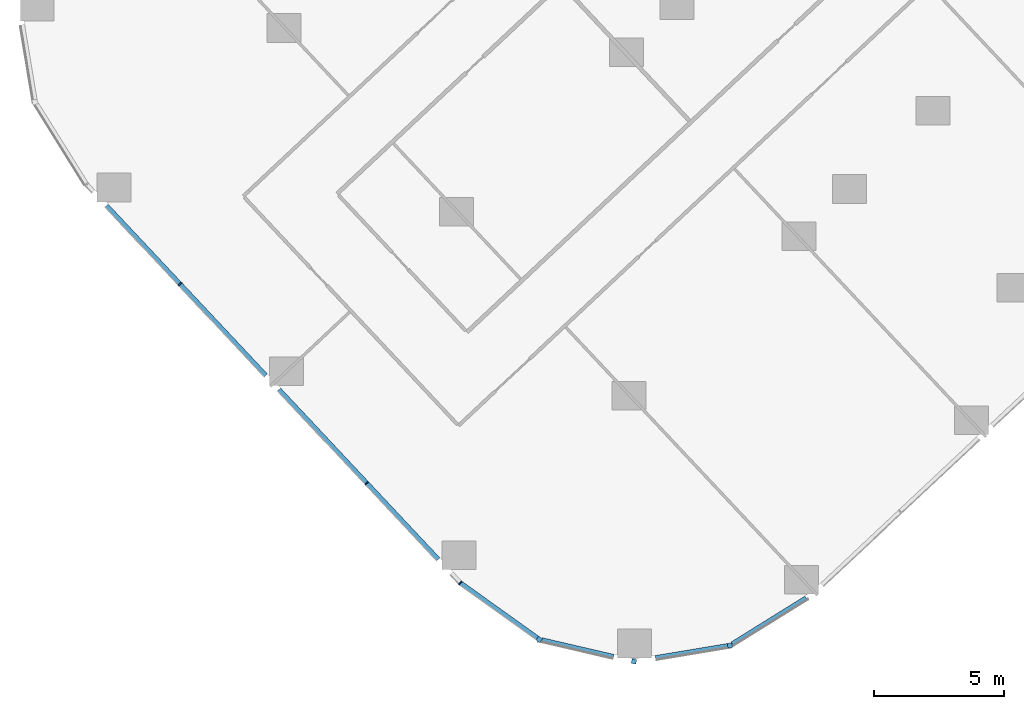
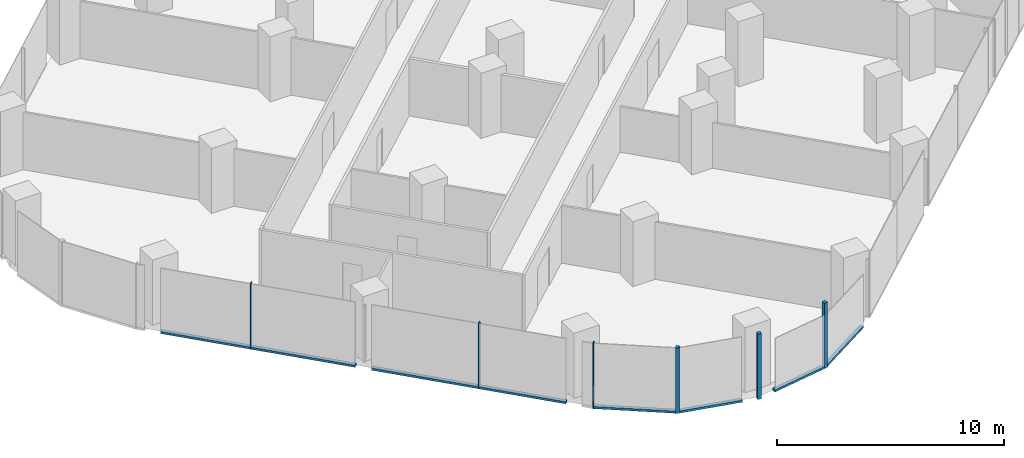
# One storey, part 2 of 33: 12 members, 5 elements without a shape of their own.
"""IFC4 building model written with IfcOpenShell, lengths in metres."""

from ifc_helpers import new_model, si_unit, direction, frame, origin, origin_2d, place, context, subcontext, project, spatial, rectangle, extrude, material, material_profile, profile_set, type_object, element, aggregate, save


model = new_model("IFC4")

# Units and contexts
model_context = context("Model", 3, precision=1e-05, world=origin(), true_north=direction((0.0, 1.0)))
body_context = subcontext(model_context, "Body", "Model", "MODEL_VIEW")
ifc_project = project(units=[si_unit("LENGTHUNIT", "METRE"), si_unit("AREAUNIT", "SQUARE_METRE"), si_unit("VOLUMEUNIT", "CUBIC_METRE"), si_unit("PLANEANGLEUNIT", "RADIAN"), si_unit("MASSUNIT", "GRAM", prefix="KILO")], contexts=[model_context])

# Site, building, storey
site_placement = place(None, origin())
site = spatial("IfcSite", under=ifc_project, at=site_placement, CompositionType="ELEMENT")
building_placement = place(site_placement, origin())
building = spatial("IfcBuilding", under=site, at=building_placement, Name="Orlundy Tower", CompositionType="ELEMENT")
storey_placement = place(building_placement, frame((0.0, 0.0, 51.300048828125)))
storey = spatial("IfcBuildingStorey", under=building, at=storey_placement, Name="L11", CompositionType="ELEMENT", Elevation=51.300048828125)

# Curtain wall, member
ifc_material_1 = material(Name="Aluminium bronze anodised", Category="aluminium")
curtain_wall_type = type_object("IfcCurtainWallType", Name="CW1 wall", PredefinedType="NOTDEFINED", material=ifc_material_1)
curtain_wall_1_placement = place(storey_placement, origin())
curtain_wall_1 = element("IfcCurtainWall", 1, at=curtain_wall_1_placement, inside=storey, type_object=curtain_wall_type, Name="CW1 run 020", PredefinedType="NOTDEFINED")
ifc_material_2 = material(Name="Aluminium bronze anodised", Category="aluminium")
ifc_material_profile_1 = material_profile(ifc_material_2, rectangle(XDim=0.179931640625, YDim=0.179931640625, at=origin_2d()), Name="CW1 corner post 180x180")
ifc_profile_set_1 = profile_set([ifc_material_profile_1], Name="Aluminium bronze anodised")
member_type_1 = type_object("IfcMemberType", Name="CW1 corner post 180x180", PredefinedType="MULLION", material=ifc_profile_set_1)
member_1_placement = place(storey_placement, frame((-26.629638671875, -51.52294921875, -0.420166015625), z_axis=(0.0, 0.0, 1.0), x_axis=(0.163786370223, -0.986495831177, 0.0)))
member_1 = element("IfcMember", 2, at=member_1_placement, type_object=member_type_1, Name="CW1 mullion 58", PredefinedType="MULLION", context=body_context, shape_type="SweptSolid", body=[
    extrude(rectangle(XDim=0.179931640625, YDim=0.179931640625, at=origin_2d()), origin(), (0.0, 0.0, 1.0), 3.52001953125),
])

curtain_wall_2_placement = place(storey_placement, origin())
curtain_wall_2 = element("IfcCurtainWall", 3, at=curtain_wall_2_placement, inside=storey, type_object=curtain_wall_type, Name="CW1 run 021", PredefinedType="NOTDEFINED")
member_2_placement = place(storey_placement, frame((-30.321044921875, -52.1357421875, -0.420166015625), z_axis=(0.0, 0.0, 1.0), x_axis=(-0.226317097073, -0.974053680026, 0.0)))
member_2 = element("IfcMember", 4, at=member_2_placement, type_object=member_type_1, Name="CW1 mullion 59", PredefinedType="MULLION", context=body_context, shape_type="SweptSolid", body=[
    extrude(rectangle(XDim=0.179931640625, YDim=0.179931640625, at=origin_2d()), origin(), (0.0, 0.0, 1.0), 3.52001953125),
])

curtain_wall_3_placement = place(storey_placement, origin())
curtain_wall_3 = element("IfcCurtainWall", 5, at=curtain_wall_3_placement, inside=storey, type_object=curtain_wall_type, Name="CW1 run 022", PredefinedType="NOTDEFINED")
member_3_placement = place(storey_placement, frame((-33.966796875, -51.28857421875, -0.420166015625), z_axis=(0.0, 0.0, 1.0), x_axis=(-0.58197810512, -0.813204454711, 0.0)))
member_3 = element("IfcMember", 6, at=member_3_placement, type_object=member_type_1, Name="CW1 mullion 60", PredefinedType="MULLION", context=body_context, shape_type="SweptSolid", body=[
    extrude(rectangle(XDim=0.179931640625, YDim=0.179931640625, at=origin_2d()), origin(), (0.0, 0.0, 1.0), 3.52001953125),
])

# Curtain wall, members
curtain_wall_4_placement = place(storey_placement, origin())
curtain_wall_4 = element("IfcCurtainWall", 7, at=curtain_wall_4_placement, inside=storey, type_object=curtain_wall_type, Name="CW1 run 023", PredefinedType="NOTDEFINED")
ifc_material_3 = material(Name="Aluminium bronze anodised", Category="aluminium")
ifc_material_profile_2 = material_profile(ifc_material_3, rectangle(XDim=0.179931640625, YDim=0.050048828125, at=origin_2d()), Name="CW1 mullion 50x180")
ifc_profile_set_2 = profile_set([ifc_material_profile_2], Name="Aluminium bronze anodised")
member_type_2 = type_object("IfcMemberType", Name="CW1 mullion 50x180", PredefinedType="MULLION", material=ifc_profile_set_2)
member_4_placement = place(storey_placement, frame((-37.002685546875, -49.115966796875, -0.420166015625), z_axis=(0.0, 0.0, 1.0), x_axis=(-0.658839468913, -0.752283559705, 0.0)))
member_4 = element("IfcMember", 8, at=member_4_placement, type_object=member_type_2, Name="CW1 mullion 61", PredefinedType="MULLION", context=body_context, shape_type="SweptSolid", body=[
    extrude(rectangle(XDim=0.179931640625, YDim=0.050048828125, at=origin_2d()), origin(), (0.0, 0.0, 1.0), 3.52001953125),
])
member_5_placement = place(storey_placement, frame((-40.600341796875, -45.2802734375, -0.420166015625), z_axis=(0.0, 0.0, 1.0), x_axis=(-0.729363439598, -0.684126430551, 0.0)))
member_5 = element("IfcMember", 9, at=member_5_placement, type_object=member_type_2, Name="CW1 mullion 62", PredefinedType="MULLION", context=body_context, shape_type="SweptSolid", body=[
    extrude(rectangle(XDim=0.179931640625, YDim=0.050048828125, at=origin_2d()), origin(), (0.0, 0.0, 1.0), 3.52001953125),
])
member_6_placement = place(storey_placement, frame((-47.783935546875, -37.621826171875, -0.420166015625), z_axis=(0.0, 0.0, 1.0), x_axis=(-0.729363439598, -0.684126430551, 0.0)))
member_6 = element("IfcMember", 10, at=member_6_placement, type_object=member_type_2, Name="CW1 mullion 64", PredefinedType="MULLION", context=body_context, shape_type="SweptSolid", body=[
    extrude(rectangle(XDim=0.179931640625, YDim=0.050048828125, at=origin_2d()), origin(), (0.0, 0.0, 1.0), 3.52001953125),
])

# Curtain wall, member
curtain_wall_5_placement = place(storey_placement, origin())
curtain_wall_5 = element("IfcCurtainWall", 11, at=curtain_wall_5_placement, inside=storey, type_object=curtain_wall_type, Name="CW1 run 019", PredefinedType="NOTDEFINED")
ifc_material_4 = material(Name="Aluminium bronze anodised", Category="aluminium")
ifc_material_profile_3 = material_profile(ifc_material_4, rectangle(XDim=0.179931640625, YDim=0.1201171875, at=origin_2d()), Name="CW1 transom 180x120")
ifc_profile_set_3 = profile_set([ifc_material_profile_3], Name="Aluminium bronze anodised")
member_type_3 = type_object("IfcMemberType", Name="CW1 transom 180x120", PredefinedType="USERDEFINED", material=ifc_profile_set_3)
member_7_placement = place(storey_placement, frame((-23.691650390625, -49.694091796875, -0.360107421875), z_axis=(-0.848955285955, -0.528464684203, 0.0), x_axis=(0.528464684203, -0.848955285955, 0.0)))
member_7 = element("IfcMember", 12, at=member_7_placement, type_object=member_type_3, Name="CW1 transom", ObjectType="TRANSOM", PredefinedType="USERDEFINED", context=body_context, shape_type="SweptSolid", body=[
    extrude(rectangle(XDim=0.179931640625, YDim=0.1201171875, at=origin_2d()), origin(), (0.0, 0.0, 1.0), 3.36328125),
])
aggregate(curtain_wall_5, [member_7])

# Member
member_8_placement = place(storey_placement, frame((-26.718505859375, -51.53759765625, -0.360107421875), z_axis=(-0.986494403283, -0.163794970288, 0.0), x_axis=(0.163794970288, -0.986494403283, 0.0)))
member_8 = element("IfcMember", 13, at=member_8_placement, type_object=member_type_3, Name="CW1 transom", ObjectType="TRANSOM", PredefinedType="USERDEFINED", context=body_context, shape_type="SweptSolid", body=[
    extrude(rectangle(XDim=0.179931640625, YDim=0.1201171875, at=origin_2d()), origin(), (0.0, 0.0, 1.0), 2.818603515625),
])

aggregate(curtain_wall_1, [member_1, member_8])

member_9_placement = place(storey_placement, frame((-31.09912109375, -51.954833984375, -0.360107421875), z_axis=(-0.974048936102, 0.226337513637, 0.0), x_axis=(-0.226337513637, -0.974048936102, 0.0)))
member_9 = element("IfcMember", 14, at=member_9_placement, type_object=member_type_3, Name="CW1 transom", ObjectType="TRANSOM", PredefinedType="USERDEFINED", context=body_context, shape_type="SweptSolid", body=[
    extrude(rectangle(XDim=0.179931640625, YDim=0.1201171875, at=origin_2d()), origin(), (0.0, 0.0, 1.0), 2.8466796875),
])

aggregate(curtain_wall_2, [member_2, member_9])

member_10_placement = place(storey_placement, frame((-34.0400390625, -51.236328125, -0.360107421875), z_axis=(-0.813185985987, 0.582003910807, 0.0), x_axis=(-0.582003910807, -0.813185985987, 0.0)))
member_10 = element("IfcMember", 15, at=member_10_placement, type_object=member_type_3, Name="CW1 transom", ObjectType="TRANSOM", PredefinedType="USERDEFINED", context=body_context, shape_type="SweptSolid", body=[
    extrude(rectangle(XDim=0.179931640625, YDim=0.1201171875, at=origin_2d()), origin(), (0.0, 0.0, 1.0), 3.617919921875),
])

aggregate(curtain_wall_3, [member_3, member_10])

member_11_placement = place(storey_placement, frame((-37.85302734375, -48.20947265625, -0.360107421875), z_axis=(-0.684112537664, 0.729376470563, 0.0), x_axis=(-0.729376470563, -0.684112537664, 0.0)))
member_11 = element("IfcMember", 16, at=member_11_placement, type_object=member_type_3, Name="CW1 transom", ObjectType="TRANSOM", PredefinedType="USERDEFINED", context=body_context, shape_type="SweptSolid", body=[
    extrude(rectangle(XDim=0.179931640625, YDim=0.1201171875, at=origin_2d()), origin(), (0.0, 0.0, 1.0), 8.95361328125),
])

member_12_placement = place(storey_placement, frame((-44.489013671875, -41.134521484375, -0.360107421875), z_axis=(-0.684127043259, 0.729362864891, 0.0), x_axis=(-0.729362864891, -0.684127043259, 0.0)))
member_12 = element("IfcMember", 17, at=member_12_placement, type_object=member_type_3, Name="CW1 transom", ObjectType="TRANSOM", PredefinedType="USERDEFINED", context=body_context, shape_type="SweptSolid", body=[
    extrude(rectangle(XDim=0.179931640625, YDim=0.1201171875, at=origin_2d()), origin(), (0.0, 0.0, 1.0), 8.95361328125),
])

aggregate(curtain_wall_4, [member_4, member_5, member_6, member_11, member_12])

save(model, "model.ifc")
